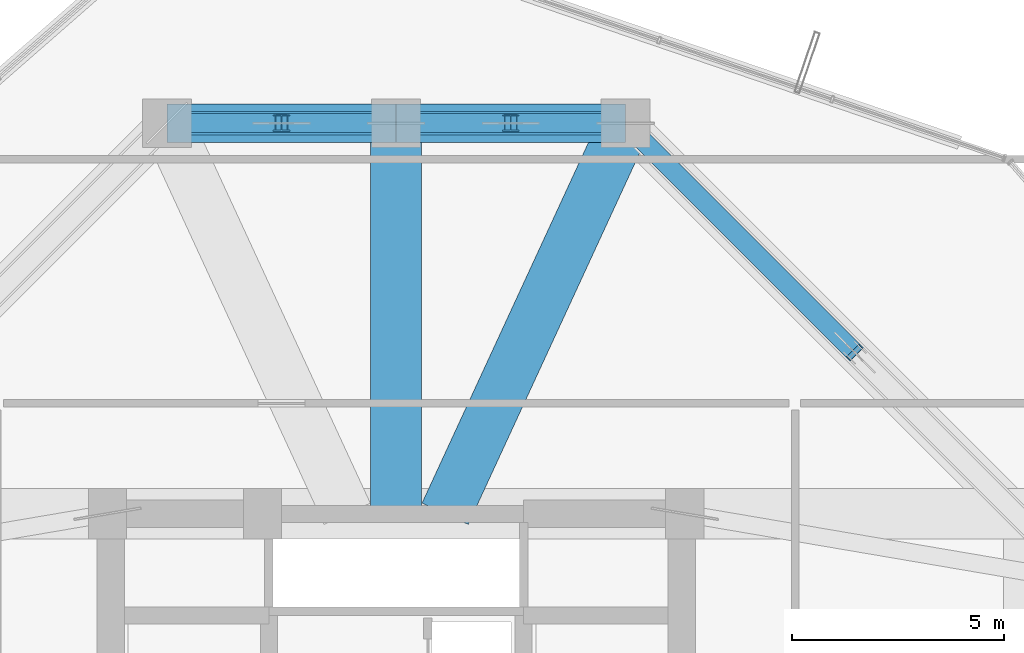
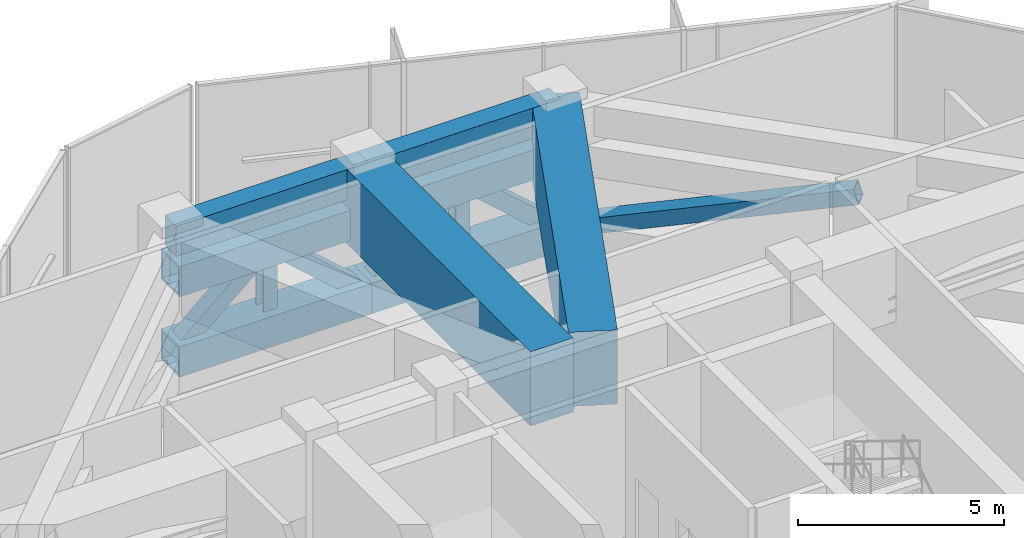
# One storey, part 25 of 36: 11 members, 4 beams.
"""IFC4 building model written with IfcOpenShell, lengths in metres."""

from ifc_helpers import new_model, si_unit, direction, frame, origin, origin_2d, place, context, subcontext, project, spatial, rectangle, hollow_rectangle, i_section, extrude, material, material_profile, profile_set, type_object, element, save


model = new_model("IFC4")

# Units and contexts
model_context = context("Model", 3, precision=1e-05, world=origin(), true_north=direction((0.0, 1.0)))
body_context = subcontext(model_context, "Body", "Model", "MODEL_VIEW")
ifc_project = project(units=[si_unit("LENGTHUNIT", "METRE"), si_unit("AREAUNIT", "SQUARE_METRE"), si_unit("VOLUMEUNIT", "CUBIC_METRE"), si_unit("PLANEANGLEUNIT", "RADIAN"), si_unit("MASSUNIT", "GRAM", prefix="KILO")], contexts=[model_context])

# Site, building, storey
site_placement = place(None, origin())
site = spatial("IfcSite", under=ifc_project, at=site_placement, CompositionType="ELEMENT")
building_placement = place(site_placement, origin())
building = spatial("IfcBuilding", under=site, at=building_placement, Name="Veraguas Prism Commons", CompositionType="ELEMENT")
storey_placement = place(building_placement, frame((0.0, 0.0, 169.550048828125)))
storey = spatial("IfcBuildingStorey", under=building, at=storey_placement, Name="L48", CompositionType="ELEMENT", Elevation=169.550048828125)

# Members
ifc_material_1 = material(Name="Steel ASTM A913 Grade 65", Category="steel")
ifc_material_profile_1 = material_profile(ifc_material_1, hollow_rectangle(XDim=0.89990234375, YDim=0.89990234375, WallThickness=0.06494140625, at=origin_2d()), Name="BOX900X900X65")
ifc_profile_set_1 = profile_set([ifc_material_profile_1], Name="Steel ASTM A913 Grade 65")
member_type_1 = type_object("IfcMemberType", Name="Belt Truss Chord L48 Box 900x900x65", PredefinedType="CHORD", material=ifc_profile_set_1)
for number, where, z_axis, x_axis, name in (
    (1, (29.39990234375, 40.199951171875, 0.550048828125), (-1.0, 0.0, 0.0), (0.0, -1.0, 0.0), "Perimeter Belt Truss Chord Bottom L48-04"),
    (2, (29.39990234375, 40.199951171875, 2.929931640625), (-1.0, 0.0, 0.0), (0.0, -1.0, 0.0), "Perimeter Belt Truss Chord Top L48-04"),
    (3, (24.0, 40.199951171875, 0.550048828125), (-1.0, 0.0, 0.0), (0.0, -1.0, 0.0), "Perimeter Belt Truss Chord Bottom L48-05"),
    (4, (24.0, 40.199951171875, 2.929931640625), (-1.0, 0.0, 0.0), (0.0, -1.0, 0.0), "Perimeter Belt Truss Chord Top L48-05"),
):
    element("IfcMember", number, at=place(storey_placement, frame(where, z_axis=z_axis, x_axis=x_axis)), inside=storey, type_object=member_type_1, Name=name, PredefinedType="CHORD", context=body_context, shape_type="SweptSolid", body=[
        extrude(hollow_rectangle(XDim=0.89990234375, YDim=0.89990234375, WallThickness=0.06494140625, at=origin_2d()), origin(), (0.0, 0.0, 1.0), 5.39990234375),
    ])
ifc_material_2 = material(Name="Steel ASTM A992 Grade 50", Category="steel")
ifc_material_profile_2 = material_profile(ifc_material_2, i_section(OverallWidth=0.39794921875, OverallDepth=0.386962890625, WebThickness=0.01904296875, FlangeThickness=0.0302734375, at=origin_2d()), Name="W360X262")
ifc_profile_set_2 = profile_set([ifc_material_profile_2], Name="Steel ASTM A992 Grade 50")
member_type_2 = type_object("IfcMemberType", Name="Belt Truss Vertical Strut W360x262", PredefinedType="STRUT", material=ifc_profile_set_2)
for number, where, z_axis, x_axis, name in (
    (5, (26.699951171875, 40.199951171875, 0.550048828125), (0.0, 0.0, 1.0), (-1.0, 0.0, 0.0), "Perimeter Belt Truss Strut L48-04"),
    (6, (21.300048828125, 40.199951171875, 0.550048828125), (0.0, 0.0, 1.0), (-1.0, 0.0, 0.0), "Perimeter Belt Truss Strut L48-05"),
):
    element("IfcMember", number, at=place(storey_placement, frame(where, z_axis=z_axis, x_axis=x_axis)), inside=storey, type_object=member_type_2, Name=name, PredefinedType="STRUT", context=body_context, shape_type="SweptSolid", body=[
        extrude(i_section(OverallWidth=0.39794921875, OverallDepth=0.386962890625, WebThickness=0.01904296875, FlangeThickness=0.0302734375, at=origin_2d()), origin(), (0.0, 0.0, 1.0), 2.3798828125),
    ])
ifc_material_3 = material(Name="Steel ASTM A500 Grade C", Category="steel")
ifc_material_profile_3 = material_profile(ifc_material_3, hollow_rectangle(XDim=0.449951171875, YDim=0.449951171875, WallThickness=0.02197265625, at=origin_2d()), Name="HSS450X450X22")
ifc_profile_set_3 = profile_set([ifc_material_profile_3], Name="Steel ASTM A500 Grade C")
member_type_3 = type_object("IfcMemberType", Name="Mid Belt Diagonal HSS 450x450x22", PredefinedType="BRACE", material=ifc_profile_set_3)
member_placement = place(storey_placement, frame((29.39990234375, 40.199951171875, 0.550048828125), z_axis=(0.675100753948, -0.675070232643, 0.297521684954), x_axis=(0.707090796496, 0.707122765516, 0.0)))
element("IfcMember", 7, at=member_placement, inside=storey, type_object=member_type_3, Name="Perimeter Belt Truss Brace L48-03B", PredefinedType="BRACE", context=body_context, shape_type="SweptSolid", body=[
    extrude(hollow_rectangle(XDim=0.449951171875, YDim=0.449951171875, WallThickness=0.02197265625, at=origin_2d()), origin(), (0.0, 0.0, 1.0), 7.9990234375),
])
for number, where, z_axis, x_axis, name in (
    (8, (29.39990234375, 40.199951171875, 0.550048828125), (-0.75017230872, 0.0, 0.661242396727), (0.0, -1.0, 0.0), "Perimeter Belt Truss Brace L48-04A"),
    (9, (24.0, 40.199951171875, 0.550048828125), (0.75017230872, 0.0, 0.661242396727), (0.0, 1.0, 0.0), "Perimeter Belt Truss Brace L48-04B"),
    (10, (24.0, 40.199951171875, 0.550048828125), (-0.75017230872, 0.0, 0.661242396727), (0.0, -1.0, 0.0), "Perimeter Belt Truss Brace L48-05A"),
    (11, (18.60009765625, 40.199951171875, 0.550048828125), (0.75017230872, 0.0, 0.661242396727), (0.0, 1.0, 0.0), "Perimeter Belt Truss Brace L48-05B"),
):
    element("IfcMember", number, at=place(storey_placement, frame(where, z_axis=z_axis, x_axis=x_axis)), inside=storey, type_object=member_type_3, Name=name, PredefinedType="BRACE", context=body_context, shape_type="SweptSolid", body=[
        extrude(hollow_rectangle(XDim=0.449951171875, YDim=0.449951171875, WallThickness=0.02197265625, at=origin_2d()), origin(), (0.0, 0.0, 1.0), 3.59912109375),
    ])

# Beams
ifc_material_4 = material(Name="Concrete C50/60", Category="concrete")
ifc_material_profile_4 = material_profile(ifc_material_4, rectangle(XDim=0.550048828125, YDim=0.89990234375, at=origin_2d()), Name="RC550X900")
ifc_profile_set_4 = profile_set([ifc_material_profile_4], Name="Concrete C50/60")
beam_type_1 = type_object("IfcBeamType", Name="Perimeter Spandrel Lower RC 550x900", PredefinedType="SPANDREL", material=ifc_profile_set_4)
for number, where, z_axis, x_axis, name in (
    (12, (29.39990234375, 40.199951171875, 4.030029296875), (-1.0, 0.0, 0.0), (0.0, -1.0, 0.0), "Perimeter Spandrel Beam L48-SP04"),
    (13, (24.0, 40.199951171875, 4.030029296875), (-1.0, 0.0, 0.0), (0.0, -1.0, 0.0), "Perimeter Spandrel Beam L48-SP05"),
):
    element("IfcBeam", number, at=place(storey_placement, frame(where, z_axis=z_axis, x_axis=x_axis)), inside=storey, type_object=beam_type_1, Name=name, PredefinedType="SPANDREL", context=body_context, shape_type="SweptSolid", body=[
        extrude(rectangle(XDim=0.550048828125, YDim=0.89990234375, at=origin_2d()), origin(), (0.0, 0.0, 1.0), 5.39990234375),
    ])
ifc_material_profile_5 = material_profile(ifc_material_4, rectangle(XDim=1.199951171875, YDim=2.199951171875, at=origin_2d()), Name="RC1200X2200")
ifc_profile_set_5 = profile_set([ifc_material_profile_5], Name="Concrete C50/60")
beam_type_2 = type_object("IfcBeamType", Name="Podium Transfer Girder RC 1200x2200", PredefinedType="BEAM", material=ifc_profile_set_5)
beam_1_placement = place(storey_placement, frame((29.39990234375, 40.199951171875, 3.3798828125), z_axis=(-0.419055121545, -0.907960794917, 0.0), x_axis=(0.907960794917, -0.419055121545, 0.0)))
element("IfcBeam", 14, at=beam_1_placement, inside=storey, type_object=beam_type_2, Name="Setback Transfer Girder L48-04", PredefinedType="BEAM", context=body_context, shape_type="SweptSolid", body=[
    extrude(rectangle(XDim=1.199951171875, YDim=2.199951171875, at=origin_2d()), origin(), (0.0, 0.0, 1.0), 10.132568359375),
])
beam_2_placement = place(storey_placement, frame((24.0, 40.199951171875, 3.3798828125), z_axis=(0.0, -1.0, 0.0), x_axis=(1.0, 0.0, 0.0)))
element("IfcBeam", 15, at=beam_2_placement, inside=storey, type_object=beam_type_2, Name="Setback Transfer Girder L48-05", PredefinedType="BEAM", context=body_context, shape_type="SweptSolid", body=[
    extrude(rectangle(XDim=1.199951171875, YDim=2.199951171875, at=origin_2d()), origin(), (0.0, 0.0, 1.0), 9.199951171875),
])

save(model, "model.ifc")
